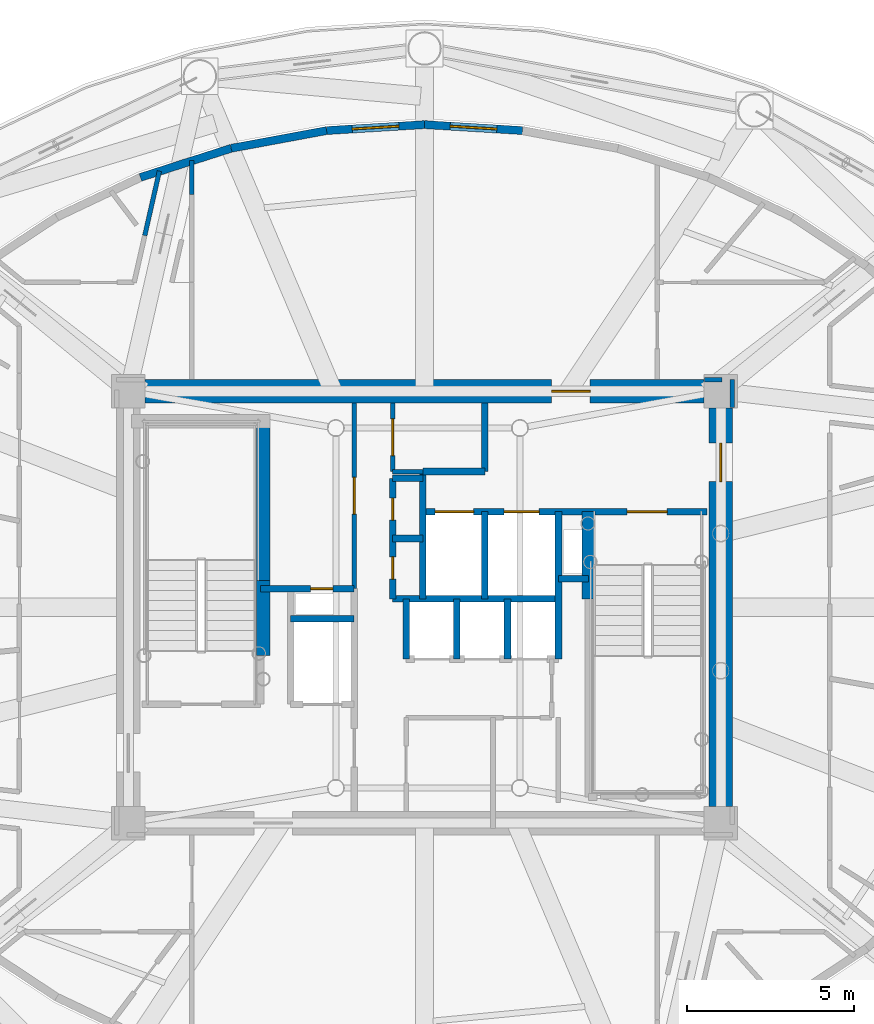
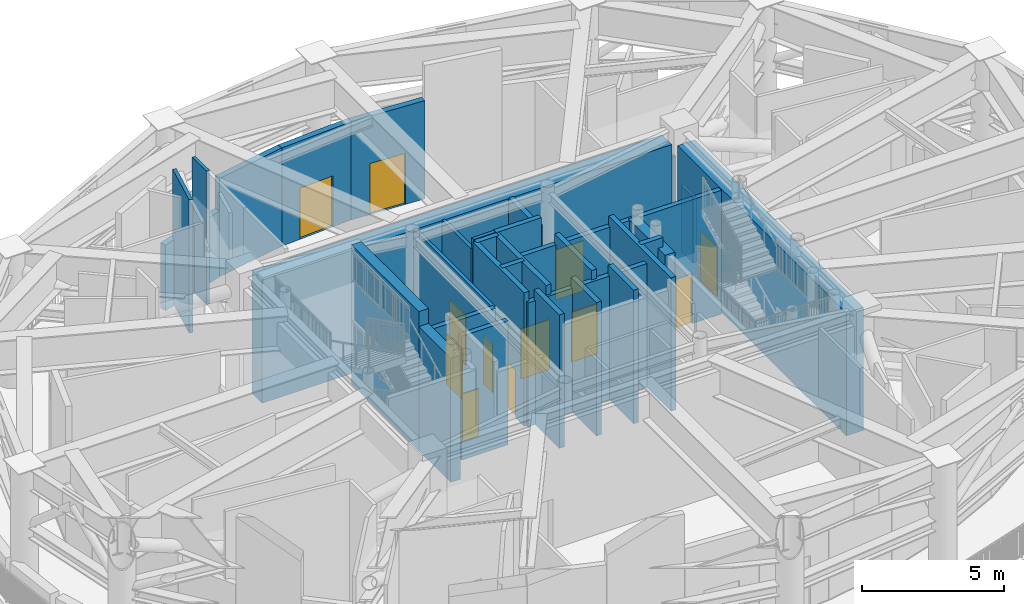
# One storey, part 9 of 17: 32 walls, 12 doors, 12 openings.
"""IFC4 building model written with IfcOpenShell, lengths in metres."""

from ifc_helpers import new_model, si_unit, direction, frame, frame_2d, origin, origin_2d, place, context, subcontext, project, spatial, rectangle, extrude, source, transform, mapped, material, layer, layer_set, type_object, element, fill, save


model = new_model("IFC4")

# Units and contexts
model_context = context("Model", 3, precision=1e-05, world=origin(), true_north=direction((0.0, 1.0)))
body_context = subcontext(model_context, "Body", "Model", "MODEL_VIEW")
ifc_project = project(units=[si_unit("LENGTHUNIT", "METRE"), si_unit("AREAUNIT", "SQUARE_METRE"), si_unit("VOLUMEUNIT", "CUBIC_METRE"), si_unit("PLANEANGLEUNIT", "RADIAN"), si_unit("MASSUNIT", "GRAM", prefix="KILO")], contexts=[model_context])

# Site, building, storey
site_placement = place(None, origin())
site = spatial("IfcSite", under=ifc_project, at=site_placement, CompositionType="ELEMENT")
building_placement = place(site_placement, origin())
building = spatial("IfcBuilding", under=site, at=building_placement, Name="Linh Dai School and Residence Tower", CompositionType="ELEMENT")
storey_placement = place(building_placement, frame((0.0, 0.0, 318.0)))
storey = spatial("IfcBuildingStorey", under=building, at=storey_placement, Name="L79", CompositionType="ELEMENT", Elevation=318.0)

# Wall, opening, door
ifc_material_1 = material(Name="Precast Concrete B45 (C35/45)", Category="concrete")
ifc_layer_1 = layer(ifc_material_1, 0.239990234375)
ifc_layer_set_1 = layer_set([ifc_layer_1], Name="Precast Concrete B45 (C35/45)")
wall_type_1 = type_object("IfcWallType", Name="EW-TC-240", PredefinedType="SOLIDWALL", material=ifc_layer_set_1)
wall_1_placement = place(storey_placement, frame((36.0, 41.4150390625, 0.0), z_axis=(0.0, 0.0, 1.0), x_axis=(0.998149855878, -0.060801852035, 0.0)))
wall_1 = element("IfcWall", 1, at=wall_1_placement, inside=storey, type_object=wall_type_1, Name="L79 Terracotta Exterior Wall 10", PredefinedType="SOLIDWALL", context=body_context, shape_type="SweptSolid", body=[
    extrude(rectangle(XDim=2.93115234375, YDim=0.239990234375, at=frame_2d((1.465576171875, 0.0))), origin(), (0.0, 0.0, 1.0), 4.235107421875),
])
opening_1_placement = place(wall_1_placement, frame((0.765625, 0.0, 0.0)))
opening_1 = element("IfcOpeningElement", 2, at=opening_1_placement, cuts=wall_1, Name="Opening DD1", PredefinedType="OPENING", context=body_context, shape_type="SweptSolid", body=[
    extrude(rectangle(XDim=1.39990234375, YDim=2.199951171875, at=origin_2d()), frame((0.699951171875, 0.1298828125, 1.10009765625), z_axis=(0.0, -1.0, 0.0), x_axis=(1.0, 0.0, 0.0)), (0.0, 0.0, 1.0), 0.260009765625),
])
ifc_material_2 = material(Name="Glazed Aluminium Terrace Door", Category="aluminium")
door_type_1 = type_object("IfcDoorType", Name="DR-DECK-1400x2200", OperationType="NOTDEFINED", PredefinedType="DOOR", material=ifc_material_2)
shared_shape_1 = source(origin(), body_context, "Body", "SweptSolid", [
    extrude(rectangle(XDim=1.39990234375, YDim=2.199951171875, at=origin_2d()), frame((0.699951171875, 0.02490234375, 1.10009765625), z_axis=(0.0, -1.0, 0.0), x_axis=(1.0, 0.0, 0.0)), (0.0, 0.0, 1.0), 0.050048828125),
])
door_1_placement = place(opening_1_placement, origin())
door_1 = element("IfcDoor", 3, at=door_1_placement, inside=storey, type_object=door_type_1, Name="L79 Outdoor Terrace Access Door 10", OperationType="SINGLE_SWING_LEFT", OverallHeight=2.199951171875, OverallWidth=1.39990234375, PredefinedType="DOOR", context=body_context, shape_type="MappedRepresentation", body=[
    mapped(shared_shape_1, transform((0.0, 0.0, 0.0), x_axis=(1.0, 0.0, 0.0), y_axis=(0.0, 1.0, 0.0), z_axis=(0.0, 0.0, 1.0), scale=1.0)),
])
fill(opening_1, door_1)

wall_2_placement = place(storey_placement, frame((33.07421875, 41.23681640625, 0.0), z_axis=(0.0, 0.0, 1.0), x_axis=(0.998149855878, 0.060801852035, 0.0)))
wall_2 = element("IfcWall", 4, at=wall_2_placement, inside=storey, type_object=wall_type_1, Name="L79 Terracotta Exterior Wall 11", PredefinedType="SOLIDWALL", context=body_context, shape_type="SweptSolid", body=[
    extrude(rectangle(XDim=2.93115234375, YDim=0.239990234375, at=frame_2d((1.465576171875, 0.0))), origin(), (0.0, 0.0, 1.0), 4.235107421875),
])
opening_2_placement = place(wall_2_placement, frame((0.765625, 0.0, 0.0)))
opening_2 = element("IfcOpeningElement", 5, at=opening_2_placement, cuts=wall_2, Name="Opening DD1", PredefinedType="OPENING", context=body_context, shape_type="SweptSolid", body=[
    extrude(rectangle(XDim=1.39990234375, YDim=2.199951171875, at=origin_2d()), frame((0.699951171875, 0.1298828125, 1.10009765625), z_axis=(0.0, -1.0, 0.0), x_axis=(1.0, 0.0, 0.0)), (0.0, 0.0, 1.0), 0.260009765625),
])
door_2_placement = place(opening_2_placement, origin())
door_2 = element("IfcDoor", 6, at=door_2_placement, inside=storey, type_object=door_type_1, Name="L79 Outdoor Terrace Access Door 11", OperationType="SINGLE_SWING_RIGHT", OverallHeight=2.199951171875, OverallWidth=1.39990234375, PredefinedType="DOOR", context=body_context, shape_type="MappedRepresentation", body=[
    mapped(shared_shape_1, transform((0.0, 0.0, 0.0), x_axis=(1.0, 0.0, 0.0), y_axis=(0.0, 1.0, 0.0), z_axis=(0.0, 0.0, 1.0), scale=1.0)),
])
fill(opening_2, door_2)

# Walls
wall_3_placement = place(storey_placement, frame((30.220947265625, 40.70703125, 0.0), z_axis=(0.0, 0.0, 1.0), x_axis=(0.983195423776, 0.182556179481, 0.0)))
element("IfcWall", 7, at=wall_3_placement, inside=storey, type_object=wall_type_1, Name="L79 Terracotta Exterior Wall 12", PredefinedType="SOLIDWALL", context=body_context, shape_type="SweptSolid", body=[
    extrude(rectangle(XDim=2.902099609375, YDim=0.239990234375, at=frame_2d((1.451171875, 0.0))), origin(), (0.0, 0.0, 1.0), 4.235107421875),
])
wall_4_placement = place(storey_placement, frame((27.5107421875, 39.8388671875, 0.0), z_axis=(0.0, 0.0, 1.0), x_axis=(0.952332464146, 0.305062088326, 0.0)))
element("IfcWall", 8, at=wall_4_placement, inside=storey, type_object=wall_type_1, Name="L79 Terracotta Exterior Wall 13", PredefinedType="SOLIDWALL", context=body_context, shape_type="SweptSolid", body=[
    extrude(rectangle(XDim=2.845947265625, YDim=0.239990234375, at=frame_2d((1.4228515625, 0.0))), origin(), (0.0, 0.0, 1.0), 2.83203125),
])
ifc_material_3 = material(Name="Autoclaved Aerated Concrete Blockwork", Category="masonry")
ifc_layer_2 = layer(ifc_material_3, 0.135009765625)
ifc_layer_set_2 = layer_set([ifc_layer_2], Name="Autoclaved Aerated Concrete Blockwork")
wall_type_2 = type_object("IfcWallType", Name="IW-CORR-135-EI90", PredefinedType="PARTITIONING", material=ifc_layer_set_2)
wall_5_placement = place(storey_placement, frame((29.050048828125, 39.329833984375, 0.0), z_axis=(0.0, 0.0, 1.0), x_axis=(0.0, 1.0, 0.0)))
element("IfcWall", 9, at=wall_5_placement, inside=storey, type_object=wall_type_2, Name="L79 Interior Partition Wall 014", PredefinedType="PARTITIONING", context=body_context, shape_type="SweptSolid", body=[
    extrude(rectangle(XDim=1.00732421875, YDim=0.135009765625, at=frame_2d((0.503662109375, 0.0))), origin(), (0.0, 0.0, 1.0), 5.75),
])

# Wall, opening, door
wall_6_placement = place(storey_placement, frame((33.89990234375, 27.56005859375, 0.0), z_axis=(0.0, 0.0, 1.0), x_axis=(0.0, 1.0, 0.0)))
wall_6 = element("IfcWall", 10, at=wall_6_placement, inside=storey, type_object=wall_type_2, Name="L79 Interior Partition Wall 021", PredefinedType="PARTITIONING", context=body_context, shape_type="SweptSolid", body=[
    extrude(rectangle(XDim=5.5400390625, YDim=0.135009765625, at=frame_2d((2.77001953125, 0.0))), origin(), (0.0, 0.0, 1.0), 5.3349609375),
])
opening_3_placement = place(wall_6_placement, frame((2.219970703125, 0.0, 0.0)))
opening_3 = element("IfcOpeningElement", 11, at=opening_3_placement, cuts=wall_6, Name="Opening D07", PredefinedType="OPENING", context=body_context, shape_type="SweptSolid", body=[
    extrude(rectangle(XDim=1.10009765625, YDim=2.14990234375, at=origin_2d()), frame((0.550048828125, 0.07763671875, 1.074951171875), z_axis=(0.0, -1.0, 0.0), x_axis=(1.0, 0.0, 0.0)), (0.0, 0.0, 1.0), 0.155029296875),
])
ifc_material_4 = material(Name="Fire-Rated Louvred Steel Plant Door", Category="steel")
door_type_2 = type_object("IfcDoorType", Name="DR-PLT-1100x2150-FD60S", OperationType="NOTDEFINED", PredefinedType="DOOR", material=ifc_material_4)
shared_shape_2 = source(origin(), body_context, "Body", "SweptSolid", [
    extrude(rectangle(XDim=1.10009765625, YDim=2.14990234375, at=origin_2d()), frame((0.550048828125, 0.02490234375, 1.074951171875), z_axis=(0.0, -1.0, 0.0), x_axis=(1.0, 0.0, 0.0)), (0.0, 0.0, 1.0), 0.050048828125),
])
door_3_placement = place(opening_3_placement, origin())
door_3 = element("IfcDoor", 12, at=door_3_placement, inside=storey, type_object=door_type_2, Name="L79 High-Zone Housekeeping Suite Door", OperationType="SINGLE_SWING_RIGHT", OverallHeight=2.14990234375, OverallWidth=1.10009765625, PredefinedType="DOOR", context=body_context, shape_type="MappedRepresentation", body=[
    mapped(shared_shape_2, transform((0.0, 0.0, 0.0), x_axis=(1.0, 0.0, 0.0), y_axis=(0.0, 1.0, 0.0), z_axis=(0.0, 0.0, 1.0), scale=1.0)),
])
fill(opening_3, door_3)

wall_7_placement = place(storey_placement, frame((35.050048828125, 31.050048828125, 0.0), z_axis=(0.0, 0.0, 1.0), x_axis=(0.0, 1.0, 0.0)))
wall_7 = element("IfcWall", 13, at=wall_7_placement, inside=storey, type_object=wall_type_2, Name="L79 Interior Partition Wall 026", PredefinedType="PARTITIONING", context=body_context, shape_type="SweptSolid", body=[
    extrude(rectangle(XDim=2.050048828125, YDim=0.135009765625, at=frame_2d((1.02490234375, 0.0))), origin(), (0.0, 0.0, 1.0), 5.3349609375),
])
opening_4_placement = place(wall_7_placement, frame((0.47509765625, 0.0, 0.0)))
opening_4 = element("IfcOpeningElement", 14, at=opening_4_placement, cuts=wall_7, Name="Opening D07", PredefinedType="OPENING", context=body_context, shape_type="SweptSolid", body=[
    extrude(rectangle(XDim=1.10009765625, YDim=2.14990234375, at=origin_2d()), frame((0.550048828125, 0.07763671875, 1.074951171875), z_axis=(0.0, -1.0, 0.0), x_axis=(1.0, 0.0, 0.0)), (0.0, 0.0, 1.0), 0.155029296875),
])
door_4_placement = place(opening_4_placement, origin())
door_4 = element("IfcDoor", 15, at=door_4_placement, inside=storey, type_object=door_type_2, Name="L79 North BMS Switchroom Door", OperationType="SINGLE_SWING_LEFT", OverallHeight=2.14990234375, OverallWidth=1.10009765625, PredefinedType="DOOR", context=body_context, shape_type="MappedRepresentation", body=[
    mapped(shared_shape_2, transform((0.0, 0.0, 0.0), x_axis=(1.0, 0.0, 0.0), y_axis=(0.0, 1.0, 0.0), z_axis=(0.0, 0.0, 1.0), scale=1.0)),
])
fill(opening_4, door_4)

# Walls
wall_8_placement = place(storey_placement, frame((35.050048828125, 31.050048828125, 0.0), z_axis=(0.0, 0.0, 1.0), x_axis=(1.0, 0.0, 0.0)))
element("IfcWall", 16, at=wall_8_placement, inside=storey, type_object=wall_type_2, Name="L79 Interior Partition Wall 027", PredefinedType="PARTITIONING", context=body_context, shape_type="SweptSolid", body=[
    extrude(rectangle(XDim=0.89990234375, YDim=0.135009765625, at=frame_2d((0.449951171875, 0.0))), origin(), (0.0, 0.0, 1.0), 5.75),
])
wall_9_placement = place(storey_placement, frame((27.64306640625, 38.1025390625, 0.0), z_axis=(0.0, 0.0, 1.0), x_axis=(0.221605059648, 0.975136502003, 0.0)))
element("IfcWall", 17, at=wall_9_placement, inside=storey, type_object=wall_type_2, Name="L79 Interior Partition Wall 063", PredefinedType="PARTITIONING", context=body_context, shape_type="SweptSolid", body=[
    extrude(rectangle(XDim=1.97314453125, YDim=0.135009765625, at=frame_2d((0.986572265625, 0.0))), origin(), (0.0, 0.0, 1.0), 5.75),
])
wall_10_placement = place(storey_placement, frame((45.199951171875, 32.9599609375, 0.0), z_axis=(0.0, 0.0, 1.0), x_axis=(0.0, 1.0, 0.0)))
element("IfcWall", 18, at=wall_10_placement, inside=storey, type_object=wall_type_2, Name="L79 Interior Partition Wall 073", PredefinedType="PARTITIONING", context=body_context, shape_type="SweptSolid", body=[
    extrude(rectangle(XDim=0.840087890625, YDim=0.135009765625, at=frame_2d((0.419921875, 0.0))), origin(), (0.0, 0.0, 1.0), 2.83203125),
])
wall_11_placement = place(storey_placement, frame((44.892578125, 33.800048828125, 0.0), z_axis=(0.0, 0.0, 1.0), x_axis=(-1.0, 0.0, 0.0)))
element("IfcWall", 19, at=wall_11_placement, inside=storey, type_object=wall_type_2, Name="L79 Interior Partition Wall 074", PredefinedType="PARTITIONING", context=body_context, shape_type="SweptSolid", body=[
    extrude(rectangle(XDim=0.532470703125, YDim=0.135009765625, at=frame_2d((0.26611328125, 0.0))), origin(), (0.0, 0.0, 1.0), 4.235107421875),
])

# Wall, opening, door
ifc_material_5 = material(Name="Concrete B45 (C35/45)", Category="concrete")
ifc_layer_3 = layer(ifc_material_5, 0.199951171875)
ifc_layer_set_3 = layer_set([ifc_layer_3], Name="Concrete B45 (C35/45)")
wall_type_3 = type_object("IfcWallType", Name="IW-SHAFT-200-EI120", PredefinedType="PARTITIONING", material=ifc_layer_set_3)
wall_12_placement = place(storey_placement, frame((31.10009765625, 27.550048828125, 0.0), z_axis=(0.0, 0.0, 1.0), x_axis=(1.0, 0.0, 0.0)))
wall_12 = element("IfcWall", 20, at=wall_12_placement, inside=storey, type_object=wall_type_3, Name="L79 Interior Partition Wall 016", PredefinedType="PARTITIONING", context=body_context, shape_type="SweptSolid", body=[
    extrude(rectangle(XDim=2.7998046875, YDim=0.199951171875, at=frame_2d((1.39990234375, 0.0))), origin(), (0.0, 0.0, 1.0), 5.3349609375),
])
opening_5_placement = place(wall_12_placement, frame((1.5, 0.0, 0.0)))
opening_5 = element("IfcOpeningElement", 21, at=opening_5_placement, cuts=wall_12, Name="Opening AD1", PredefinedType="OPENING", context=body_context, shape_type="SweptSolid", body=[
    extrude(rectangle(XDim=0.659912109375, YDim=2.050048828125, at=origin_2d()), frame((0.330078125, 0.10986328125, 1.02490234375), z_axis=(0.0, -1.0, 0.0), x_axis=(1.0, 0.0, 0.0)), (0.0, 0.0, 1.0), 0.219970703125),
])
ifc_material_6 = material(Name="Fire-Rated Steel Riser Access Door", Category="steel")
door_type_3 = type_object("IfcDoorType", Name="DR-ACC-660x2050-FD90S", OperationType="NOTDEFINED", PredefinedType="USERDEFINED", material=ifc_material_6)
shared_shape_3 = source(origin(), body_context, "Body", "SweptSolid", [
    extrude(rectangle(XDim=0.659912109375, YDim=2.050048828125, at=origin_2d()), frame((0.330078125, 0.02490234375, 1.02490234375), z_axis=(0.0, -1.0, 0.0), x_axis=(1.0, 0.0, 0.0)), (0.0, 0.0, 1.0), 0.050048828125),
])
door_5_placement = place(opening_5_placement, origin())
door_5 = element("IfcDoor", 22, at=door_5_placement, inside=storey, type_object=door_type_3, Name="L79 Main Electrical Riser Access Door", ObjectType="ACCESS DOOR", OperationType="SINGLE_SWING_LEFT", OverallHeight=2.050048828125, OverallWidth=0.659912109375, PredefinedType="USERDEFINED", context=body_context, shape_type="MappedRepresentation", body=[
    mapped(shared_shape_3, transform((0.0, 0.0, 0.0), x_axis=(1.0, 0.0, 0.0), y_axis=(0.0, 1.0, 0.0), z_axis=(0.0, 0.0, 1.0), scale=1.0)),
])
fill(opening_5, door_5)

# Wall
wall_13_placement = place(storey_placement, frame((32.0, 26.64990234375, 0.0), z_axis=(0.0, 0.0, 1.0), x_axis=(1.0, 0.0, 0.0)))
element("IfcWall", 23, at=wall_13_placement, inside=storey, type_object=wall_type_3, Name="L79 Interior Partition Wall 019", PredefinedType="PARTITIONING", context=body_context, shape_type="SweptSolid", body=[
    extrude(rectangle(XDim=1.89990234375, YDim=0.199951171875, at=frame_2d((0.949951171875, 0.0))), origin(), (0.0, 0.0, 1.0), 5.3349609375),
])

# Wall, openings, doors
wall_14_placement = place(storey_placement, frame((35.050048828125, 27.25, 0.0), z_axis=(0.0, 0.0, 1.0), x_axis=(0.0, 1.0, 0.0)))
wall_14 = element("IfcWall", 24, at=wall_14_placement, inside=storey, type_object=wall_type_3, Name="L79 Interior Partition Wall 022", PredefinedType="PARTITIONING", context=body_context, shape_type="SweptSolid", body=[
    extrude(rectangle(XDim=3.60009765625, YDim=0.199951171875, at=frame_2d((1.800048828125, 0.0))), origin(), (0.0, 0.0, 1.0), 5.75),
])
opening_6_placement = place(wall_14_placement, frame((0.590087890625, 0.0, 0.0)))
opening_6 = element("IfcOpeningElement", 25, at=opening_6_placement, cuts=wall_14, Name="Opening AD1", PredefinedType="OPENING", context=body_context, shape_type="SweptSolid", body=[
    extrude(rectangle(XDim=0.659912109375, YDim=2.050048828125, at=origin_2d()), frame((0.330078125, 0.10986328125, 1.02490234375), z_axis=(0.0, -1.0, 0.0), x_axis=(1.0, 0.0, 0.0)), (0.0, 0.0, 1.0), 0.219970703125),
])
opening_7_placement = place(wall_14_placement, frame((2.35009765625, 0.0, 0.0)))
opening_7 = element("IfcOpeningElement", 26, at=opening_7_placement, cuts=wall_14, Name="Opening AD1", PredefinedType="OPENING", context=body_context, shape_type="SweptSolid", body=[
    extrude(rectangle(XDim=0.659912109375, YDim=2.050048828125, at=origin_2d()), frame((0.330078125, 0.10986328125, 1.02490234375), z_axis=(0.0, -1.0, 0.0), x_axis=(1.0, 0.0, 0.0)), (0.0, 0.0, 1.0), 0.219970703125),
])
door_6_placement = place(opening_6_placement, origin())
door_6 = element("IfcDoor", 27, at=door_6_placement, inside=storey, type_object=door_type_3, Name="L79 Telecom and Data Riser Access Door", ObjectType="ACCESS DOOR", OperationType="SINGLE_SWING_RIGHT", OverallHeight=2.050048828125, OverallWidth=0.659912109375, PredefinedType="USERDEFINED", context=body_context, shape_type="MappedRepresentation", body=[
    mapped(shared_shape_3, transform((0.0, 0.0, 0.0), x_axis=(1.0, 0.0, 0.0), y_axis=(0.0, 1.0, 0.0), z_axis=(0.0, 0.0, 1.0), scale=1.0)),
])
fill(opening_6, door_6)
door_7_placement = place(opening_7_placement, origin())
door_7 = element("IfcDoor", 28, at=door_7_placement, inside=storey, type_object=door_type_3, Name="L79 Mechanical and Plumbing Riser Access Door", ObjectType="ACCESS DOOR", OperationType="SINGLE_SWING_LEFT", OverallHeight=2.050048828125, OverallWidth=0.659912109375, PredefinedType="USERDEFINED", context=body_context, shape_type="MappedRepresentation", body=[
    mapped(shared_shape_3, transform((0.0, 0.0, 0.0), x_axis=(1.0, 0.0, 0.0), y_axis=(0.0, 1.0, 0.0), z_axis=(0.0, 0.0, 1.0), scale=1.0)),
])
fill(opening_7, door_7)

# Walls
wall_15_placement = place(storey_placement, frame((35.050048828125, 27.25, 0.0), z_axis=(0.0, 0.0, 1.0), x_axis=(1.0, 0.0, 0.0)))
element("IfcWall", 29, at=wall_15_placement, inside=storey, type_object=wall_type_3, Name="L79 Interior Partition Wall 023", PredefinedType="PARTITIONING", context=body_context, shape_type="SweptSolid", body=[
    extrude(rectangle(XDim=4.949951171875, YDim=0.199951171875, at=frame_2d((2.47509765625, 0.0))), origin(), (0.0, 0.0, 1.0), 5.3349609375),
])
for number, where, z_axis, x_axis, name in (
    (30, (35.050048828125, 29.050048828125, 0.0), (0.0, 0.0, 1.0), (1.0, 0.0, 0.0), "L79 Interior Partition Wall 024"),
    (31, (35.050048828125, 30.85009765625, 0.0), (0.0, 0.0, 1.0), (1.0, 0.0, 0.0), "L79 Interior Partition Wall 025"),
):
    element("IfcWall", number, at=place(storey_placement, frame(where, z_axis=z_axis, x_axis=x_axis)), inside=storey, type_object=wall_type_3, Name=name, PredefinedType="PARTITIONING", context=body_context, shape_type="SweptSolid", body=[
        extrude(rectangle(XDim=0.89990234375, YDim=0.199951171875, at=frame_2d((0.449951171875, 0.0))), origin(), (0.0, 0.0, 1.0), 5.75),
    ])
wall_16_placement = place(storey_placement, frame((35.449951171875, 25.449951171875, 0.0), z_axis=(0.0, 0.0, 1.0), x_axis=(0.0, 1.0, 0.0)))
element("IfcWall", 32, at=wall_16_placement, inside=storey, type_object=wall_type_3, Name="L79 Interior Partition Wall 030", PredefinedType="PARTITIONING", context=body_context, shape_type="SweptSolid", body=[
    extrude(rectangle(XDim=1.800048828125, YDim=0.199951171875, at=frame_2d((0.89990234375, 0.0))), origin(), (0.0, 0.0, 1.0), 5.75),
])
wall_17_placement = place(storey_placement, frame((35.949951171875, 27.25, 0.0), z_axis=(0.0, 0.0, 1.0), x_axis=(0.0, 1.0, 0.0)))
element("IfcWall", 33, at=wall_17_placement, inside=storey, type_object=wall_type_3, Name="L79 Interior Partition Wall 032", PredefinedType="PARTITIONING", context=body_context, shape_type="SweptSolid", body=[
    extrude(rectangle(XDim=3.800048828125, YDim=0.199951171875, at=frame_2d((1.89990234375, 0.0))), origin(), (0.0, 0.0, 1.0), 5.75),
])

# Wall, openings, doors
wall_18_placement = place(storey_placement, frame((35.949951171875, 29.85009765625, 0.0), z_axis=(0.0, 0.0, 1.0), x_axis=(1.0, 0.0, 0.0)))
wall_18 = element("IfcWall", 34, at=wall_18_placement, inside=storey, type_object=wall_type_3, Name="L79 Interior Partition Wall 033", PredefinedType="PARTITIONING", context=body_context, shape_type="SweptSolid", body=[
    extrude(rectangle(XDim=8.489990234375, YDim=0.199951171875, at=frame_2d((4.2451171875, 0.0))), origin(), (0.0, 0.0, 1.0), 5.3349609375),
])
opening_8_placement = place(wall_18_placement, frame((6.10009765625, 0.0, 0.0)))
opening_8 = element("IfcOpeningElement", 35, at=opening_8_placement, cuts=wall_18, Name="Opening D01", PredefinedType="OPENING", context=body_context, shape_type="SweptSolid", body=[
    extrude(rectangle(XDim=1.199951171875, YDim=2.14990234375, at=origin_2d()), frame((0.60009765625, 0.10986328125, 1.074951171875), z_axis=(0.0, -1.0, 0.0), x_axis=(1.0, 0.0, 0.0)), (0.0, 0.0, 1.0), 0.219970703125),
])
opening_9_placement = place(wall_18_placement, frame((0.3701171875, 0.0, 0.0)))
opening_9 = element("IfcOpeningElement", 36, at=opening_9_placement, cuts=wall_18, Name="Opening LD-FF1", PredefinedType="OPENING", context=body_context, shape_type="SweptSolid", body=[
    extrude(rectangle(XDim=1.14990234375, YDim=2.14990234375, at=origin_2d()), frame((0.574951171875, 0.10986328125, 1.074951171875), z_axis=(0.0, -1.0, 0.0), x_axis=(1.0, 0.0, 0.0)), (0.0, 0.0, 1.0), 0.219970703125),
])
opening_10_placement = place(wall_18_placement, frame((2.425048828125, 0.0, 0.0)))
opening_10 = element("IfcOpeningElement", 37, at=opening_10_placement, cuts=wall_18, Name="Opening LD-SV1", PredefinedType="OPENING", context=body_context, shape_type="SweptSolid", body=[
    extrude(rectangle(XDim=1.050048828125, YDim=2.14990234375, at=origin_2d()), frame((0.52490234375, 0.10986328125, 1.074951171875), z_axis=(0.0, -1.0, 0.0), x_axis=(1.0, 0.0, 0.0)), (0.0, 0.0, 1.0), 0.219970703125),
])
ifc_material_7 = material(Name="Fire-Rated Steel Door Leaf", Category="steel")
door_type_4 = type_object("IfcDoorType", Name="DR-STAIR-1200x2150-FD90S", OperationType="NOTDEFINED", PredefinedType="DOOR", material=ifc_material_7)
shared_shape_4 = source(origin(), body_context, "Body", "SweptSolid", [
    extrude(rectangle(XDim=1.199951171875, YDim=2.14990234375, at=origin_2d()), frame((0.60009765625, 0.02490234375, 1.074951171875), z_axis=(0.0, -1.0, 0.0), x_axis=(1.0, 0.0, 0.0)), (0.0, 0.0, 1.0), 0.050048828125),
])
door_8_placement = place(opening_8_placement, origin())
door_8 = element("IfcDoor", 38, at=door_8_placement, inside=storey, type_object=door_type_4, Name="L79 Core Smokeproof Exit Stair ST2 Door", OperationType="SINGLE_SWING_LEFT", OverallHeight=2.14990234375, OverallWidth=1.199951171875, PredefinedType="DOOR", context=body_context, shape_type="MappedRepresentation", body=[
    mapped(shared_shape_4, transform((0.0, 0.0, 0.0), x_axis=(1.0, 0.0, 0.0), y_axis=(0.0, 1.0, 0.0), z_axis=(0.0, 0.0, 1.0), scale=1.0)),
])
fill(opening_8, door_8)
ifc_material_8 = material(Name="Fire-Rated Stainless Steel Firefighting Lift Door", Category="steel")
door_type_5 = type_object("IfcDoorType", Name="DR-LD-FF-1150x2150-FD120", OperationType="DOUBLE_DOOR_SLIDING", PredefinedType="USERDEFINED", material=ifc_material_8)
shared_shape_5 = source(origin(), body_context, "Body", "SweptSolid", [
    extrude(rectangle(XDim=1.14990234375, YDim=2.14990234375, at=origin_2d()), frame((0.574951171875, 0.02490234375, 1.074951171875), z_axis=(0.0, -1.0, 0.0), x_axis=(1.0, 0.0, 0.0)), (0.0, 0.0, 1.0), 0.050048828125),
])
door_9_placement = place(opening_9_placement, origin())
door_9 = element("IfcDoor", 39, at=door_9_placement, inside=storey, type_object=door_type_5, Name="L79 Lift FF1 Sliding Landing Door", ObjectType="LANDING DOOR", OperationType="DOUBLE_DOOR_SLIDING", OverallHeight=2.14990234375, OverallWidth=1.14990234375, PredefinedType="USERDEFINED", context=body_context, shape_type="MappedRepresentation", body=[
    mapped(shared_shape_5, transform((0.0, 0.0, 0.0), x_axis=(1.0, 0.0, 0.0), y_axis=(0.0, 1.0, 0.0), z_axis=(0.0, 0.0, 1.0), scale=1.0)),
])
fill(opening_9, door_9)
ifc_material_9 = material(Name="Brushed Stainless Steel Lift Landing Door", Category="steel")
door_type_6 = type_object("IfcDoorType", Name="DR-LD-PASS-1050x2150", OperationType="DOUBLE_DOOR_SLIDING", PredefinedType="USERDEFINED", material=ifc_material_9)
shared_shape_6 = source(origin(), body_context, "Body", "SweptSolid", [
    extrude(rectangle(XDim=1.050048828125, YDim=2.14990234375, at=origin_2d()), frame((0.52490234375, 0.02490234375, 1.074951171875), z_axis=(0.0, -1.0, 0.0), x_axis=(1.0, 0.0, 0.0)), (0.0, 0.0, 1.0), 0.050048828125),
])
door_10_placement = place(opening_10_placement, origin())
door_10 = element("IfcDoor", 40, at=door_10_placement, inside=storey, type_object=door_type_6, Name="L79 Lift SV1 Sliding Landing Door", ObjectType="LANDING DOOR", OperationType="DOUBLE_DOOR_SLIDING", OverallHeight=2.14990234375, OverallWidth=1.050048828125, PredefinedType="USERDEFINED", context=body_context, shape_type="MappedRepresentation", body=[
    mapped(shared_shape_6, transform((0.0, 0.0, 0.0), x_axis=(1.0, 0.0, 0.0), y_axis=(0.0, 1.0, 0.0), z_axis=(0.0, 0.0, 1.0), scale=1.0)),
])
fill(opening_10, door_10)

# Walls
wall_19_placement = place(storey_placement, frame((35.9599609375, 31.050048828125, 0.0), z_axis=(0.0, 0.0, 1.0), x_axis=(1.0, 0.0, 0.0)))
element("IfcWall", 41, at=wall_19_placement, inside=storey, type_object=wall_type_3, Name="L79 Interior Partition Wall 034", PredefinedType="PARTITIONING", context=body_context, shape_type="SweptSolid", body=[
    extrude(rectangle(XDim=1.840087890625, YDim=0.199951171875, at=frame_2d((0.919921875, 0.0))), origin(), (0.0, 0.0, 1.0), 5.75),
])
wall_20_placement = place(storey_placement, frame((36.9599609375, 25.449951171875, 0.0), z_axis=(0.0, 0.0, 1.0), x_axis=(0.0, 1.0, 0.0)))
element("IfcWall", 42, at=wall_20_placement, inside=storey, type_object=wall_type_3, Name="L79 Interior Partition Wall 035", PredefinedType="PARTITIONING", context=body_context, shape_type="SweptSolid", body=[
    extrude(rectangle(XDim=1.800048828125, YDim=0.199951171875, at=frame_2d((0.89990234375, 0.0))), origin(), (0.0, 0.0, 1.0), 5.75),
])
wall_21_placement = place(storey_placement, frame((37.800048828125, 27.25, 0.0), z_axis=(0.0, 0.0, 1.0), x_axis=(0.0, 1.0, 0.0)))
element("IfcWall", 43, at=wall_21_placement, inside=storey, type_object=wall_type_3, Name="L79 Interior Partition Wall 036", PredefinedType="PARTITIONING", context=body_context, shape_type="SweptSolid", body=[
    extrude(rectangle(XDim=2.60009765625, YDim=0.199951171875, at=frame_2d((1.300048828125, 0.0))), origin(), (0.0, 0.0, 1.0), 5.75),
])
wall_22_placement = place(storey_placement, frame((37.800048828125, 31.050048828125, 0.0), z_axis=(0.0, 0.0, 1.0), x_axis=(0.0, 1.0, 0.0)))
element("IfcWall", 44, at=wall_22_placement, inside=storey, type_object=wall_type_3, Name="L79 Interior Partition Wall 037", PredefinedType="PARTITIONING", context=body_context, shape_type="SweptSolid", body=[
    extrude(rectangle(XDim=2.050048828125, YDim=0.199951171875, at=frame_2d((1.02490234375, 0.0))), origin(), (0.0, 0.0, 1.0), 5.3349609375),
])
wall_23_placement = place(storey_placement, frame((38.47998046875, 25.449951171875, 0.0), z_axis=(0.0, 0.0, 1.0), x_axis=(0.0, 1.0, 0.0)))
element("IfcWall", 45, at=wall_23_placement, inside=storey, type_object=wall_type_3, Name="L79 Interior Partition Wall 039", PredefinedType="PARTITIONING", context=body_context, shape_type="SweptSolid", body=[
    extrude(rectangle(XDim=1.800048828125, YDim=0.199951171875, at=frame_2d((0.89990234375, 0.0))), origin(), (0.0, 0.0, 1.0), 5.75),
])
wall_24_placement = place(storey_placement, frame((40.0, 25.449951171875, 0.0), z_axis=(0.0, 0.0, 1.0), x_axis=(0.0, 1.0, 0.0)))
element("IfcWall", 46, at=wall_24_placement, inside=storey, type_object=wall_type_3, Name="L79 Interior Partition Wall 041", PredefinedType="PARTITIONING", context=body_context, shape_type="SweptSolid", body=[
    extrude(rectangle(XDim=4.400146484375, YDim=0.199951171875, at=frame_2d((2.2001953125, 0.0))), origin(), (0.0, 0.0, 1.0), 5.75),
])
wall_25_placement = place(storey_placement, frame((40.0, 27.85009765625, 0.0), z_axis=(0.0, 0.0, 1.0), x_axis=(1.0, 0.0, 0.0)))
element("IfcWall", 47, at=wall_25_placement, inside=storey, type_object=wall_type_3, Name="L79 Interior Partition Wall 042", PredefinedType="PARTITIONING", context=body_context, shape_type="SweptSolid", body=[
    extrude(rectangle(XDim=0.89990234375, YDim=0.199951171875, at=frame_2d((0.449951171875, 0.0))), origin(), (0.0, 0.0, 1.0), 5.75),
])
ifc_layer_4 = layer(ifc_material_5, 0.39990234375)
ifc_layer_set_4 = layer_set([ifc_layer_4], Name="Concrete B45 (C35/45)")
wall_type_4 = type_object("IfcWallType", Name="WL-CORE400", PredefinedType="SHEAR", material=ifc_layer_set_4)
wall_26_placement = place(storey_placement, frame((31.179931640625, 27.800048828125, 0.0), z_axis=(0.0, 0.0, 1.0), x_axis=(0.0, 1.0, 0.0)))
element("IfcWall", 48, at=wall_26_placement, inside=storey, type_object=wall_type_4, Name="L79 Core Stair ST1 Bearing Wall E", PredefinedType="SHEAR", context=body_context, shape_type="SweptSolid", body=[
    extrude(rectangle(XDim=4.75, YDim=0.39990234375, at=frame_2d((2.375, 0.0))), origin(), (0.0, 0.0, 1.0), 6.0),
])
wall_27_placement = place(storey_placement, frame((31.179931640625, 25.550048828125, 0.0), z_axis=(0.0, 0.0, 1.0), x_axis=(0.0, 1.0, 0.0)))
element("IfcWall", 49, at=wall_27_placement, inside=storey, type_object=wall_type_4, Name="L79 Internal Core Shear Wall IW", PredefinedType="SHEAR", context=body_context, shape_type="SweptSolid", body=[
    extrude(rectangle(XDim=2.25, YDim=0.39990234375, at=frame_2d((1.125, 0.0))), origin(), (0.0, 0.0, 1.0), 5.35009765625),
])
wall_28_placement = place(storey_placement, frame((40.89990234375, 27.25, 0.0), z_axis=(0.0, 0.0, 1.0), x_axis=(0.0, 1.0, 0.0)))
element("IfcWall", 50, at=wall_28_placement, inside=storey, type_object=wall_type_4, Name="L79 Internal Core Shear Wall IE", PredefinedType="SHEAR", context=body_context, shape_type="SweptSolid", body=[
    extrude(rectangle(XDim=2.60009765625, YDim=0.39990234375, at=frame_2d((1.300048828125, 0.0))), origin(), (0.0, 0.0, 1.0), 5.35009765625),
])

# Wall, opening, door
ifc_layer_5 = layer(ifc_material_5, 0.699951171875)
ifc_layer_set_5 = layer_set([ifc_layer_5], Name="Concrete B45 (C35/45)")
wall_type_5 = type_object("IfcWallType", Name="WL-CORE700", PredefinedType="SHEAR", material=ifc_layer_set_5)
wall_29_placement = place(storey_placement, frame((27.64990234375, 33.449951171875, 0.0), z_axis=(0.0, 0.0, 1.0), x_axis=(1.0, 0.0, 0.0)))
wall_29 = element("IfcWall", 51, at=wall_29_placement, inside=storey, type_object=wall_type_5, Name="L79 Central Core Shear Wall N", PredefinedType="SHEAR", context=body_context, shape_type="SweptSolid", body=[
    extrude(rectangle(XDim=16.7001953125, YDim=0.699951171875, at=frame_2d((8.35009765625, 0.0))), origin(), (0.0, 0.0, 1.0), 5.300048828125),
])
opening_11_placement = place(wall_29_placement, frame((12.14990234375, 0.0, 0.0)))
opening_11 = element("IfcOpeningElement", 52, at=opening_11_placement, cuts=wall_29, Name="Opening D02", PredefinedType="OPENING", context=body_context, shape_type="SweptSolid", body=[
    extrude(rectangle(XDim=1.14990234375, YDim=2.14990234375, at=origin_2d()), frame((0.574951171875, 0.35986328125, 1.074951171875), z_axis=(0.0, -1.0, 0.0), x_axis=(1.0, 0.0, 0.0)), (0.0, 0.0, 1.0), 0.719970703125),
])
ifc_material_10 = material(Name="Fire-Rated Glazed Steel Lobby Door", Category="steel")
door_type_7 = type_object("IfcDoorType", Name="DR-LOBBY-1150x2150-FD90S", OperationType="NOTDEFINED", PredefinedType="DOOR", material=ifc_material_10)
shared_shape_7 = source(origin(), body_context, "Body", "SweptSolid", [
    extrude(rectangle(XDim=1.14990234375, YDim=2.14990234375, at=origin_2d()), frame((0.574951171875, 0.02490234375, 1.074951171875), z_axis=(0.0, -1.0, 0.0), x_axis=(1.0, 0.0, 0.0)), (0.0, 0.0, 1.0), 0.050048828125),
])
door_11_placement = place(opening_11_placement, origin())
door_11 = element("IfcDoor", 53, at=door_11_placement, inside=storey, type_object=door_type_7, Name="L79 Refuge Lobby Access Door", OperationType="SINGLE_SWING_LEFT", OverallHeight=2.14990234375, OverallWidth=1.14990234375, PredefinedType="DOOR", context=body_context, shape_type="MappedRepresentation", body=[
    mapped(shared_shape_7, transform((0.0, 0.0, 0.0), x_axis=(1.0, 0.0, 0.0), y_axis=(0.0, 1.0, 0.0), z_axis=(0.0, 0.0, 1.0), scale=1.0)),
])
fill(opening_11, door_11)

wall_30_placement = place(storey_placement, frame((44.85009765625, 32.949951171875, 0.0), z_axis=(0.0, 0.0, 1.0), x_axis=(0.0, -1.0, 0.0)))
wall_30 = element("IfcWall", 54, at=wall_30_placement, inside=storey, type_object=wall_type_5, Name="L79 Central Core Shear Wall E", PredefinedType="SHEAR", context=body_context, shape_type="SweptSolid", body=[
    extrude(rectangle(XDim=11.89990234375, YDim=0.699951171875, at=frame_2d((5.949951171875, 0.0))), origin(), (0.0, 0.0, 1.0), 5.300048828125),
])
opening_12_placement = place(wall_30_placement, frame((1.050048828125, 0.0, 0.0)))
opening_12 = element("IfcOpeningElement", 55, at=opening_12_placement, cuts=wall_30, Name="Opening D02", PredefinedType="OPENING", context=body_context, shape_type="SweptSolid", body=[
    extrude(rectangle(XDim=1.14990234375, YDim=2.14990234375, at=origin_2d()), frame((0.574951171875, 0.35986328125, 1.074951171875), z_axis=(0.0, -1.0, 0.0), x_axis=(1.0, 0.0, 0.0)), (0.0, 0.0, 1.0), 0.719970703125),
])
door_12_placement = place(opening_12_placement, origin())
door_12 = element("IfcDoor", 56, at=door_12_placement, inside=storey, type_object=door_type_7, Name="L79 Firefighting Lobby Door", OperationType="SINGLE_SWING_RIGHT", OverallHeight=2.14990234375, OverallWidth=1.14990234375, PredefinedType="DOOR", context=body_context, shape_type="MappedRepresentation", body=[
    mapped(shared_shape_7, transform((0.0, 0.0, 0.0), x_axis=(1.0, 0.0, 0.0), y_axis=(0.0, 1.0, 0.0), z_axis=(0.0, 0.0, 1.0), scale=1.0)),
])
fill(opening_12, door_12)

save(model, "model.ifc")
